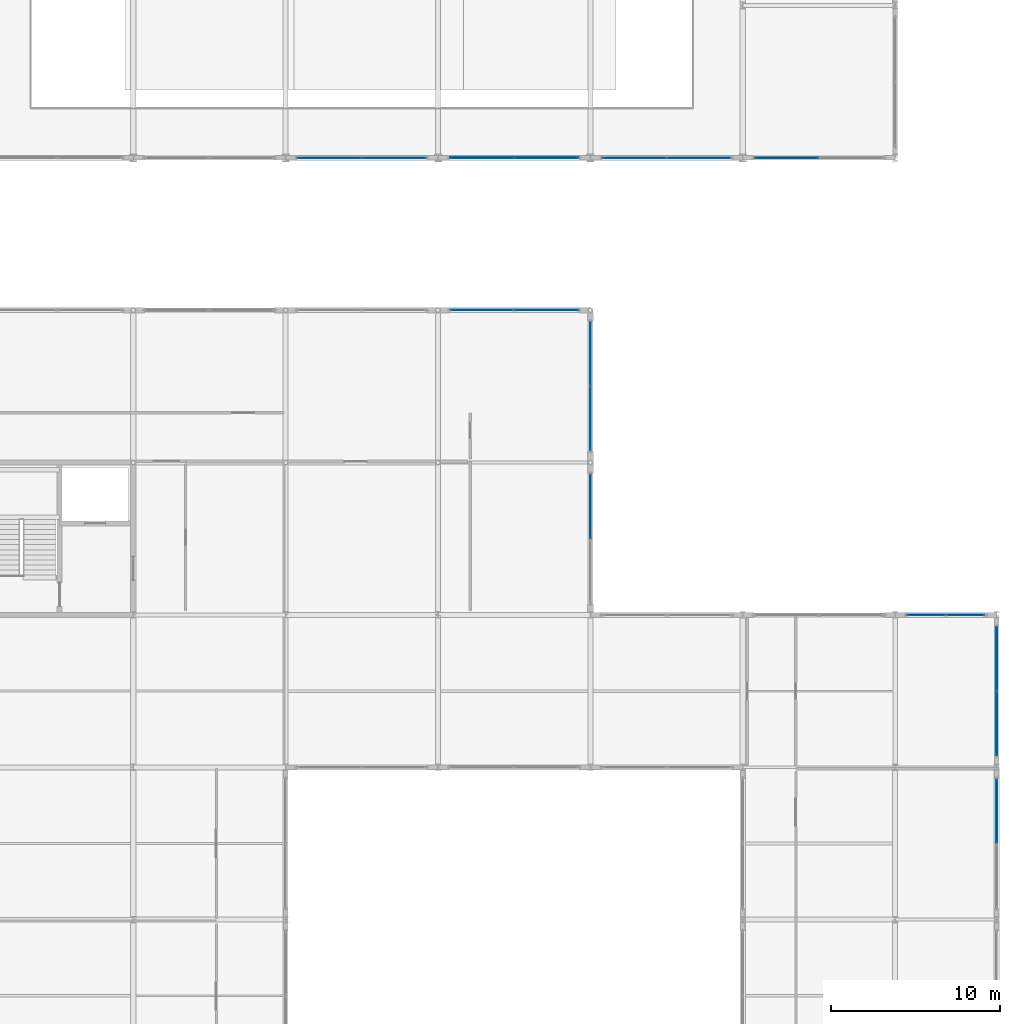
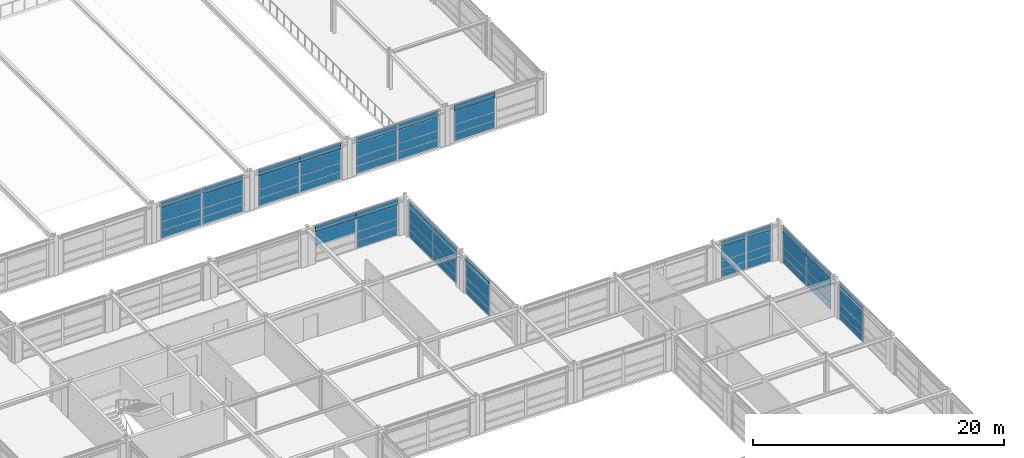
# One storey, part 60 of 79: 66 plates, 10 elements without a shape of their own.
"""IFC4 building model written with IfcOpenShell, lengths in metres."""

from ifc_helpers import new_model, si_unit, direction, frame, origin, origin_2d, place, context, subcontext, project, spatial, rectangle, extrude, material, layer, layer_set, type_object, element, aggregate, save


model = new_model("IFC4")

# Units and contexts
model_context = context("Model", 3, precision=1e-05, world=origin(), true_north=direction((0.0, 1.0)))
body_context = subcontext(model_context, "Body", "Model", "MODEL_VIEW")
ifc_project = project(units=[si_unit("LENGTHUNIT", "METRE"), si_unit("AREAUNIT", "SQUARE_METRE"), si_unit("VOLUMEUNIT", "CUBIC_METRE"), si_unit("PLANEANGLEUNIT", "RADIAN"), si_unit("MASSUNIT", "GRAM", prefix="KILO")], contexts=[model_context])

# Site, building, storey
site_placement = place(None, origin())
site = spatial("IfcSite", under=ifc_project, at=site_placement, CompositionType="ELEMENT")
building_placement = place(site_placement, origin())
building = spatial("IfcBuilding", under=site, at=building_placement, Name="Palais des Congres Ocreval", CompositionType="ELEMENT")
storey_placement = place(building_placement, frame((0.0, 0.0, 4.320068359375)))
storey = spatial("IfcBuildingStorey", under=building, at=storey_placement, Name="L01", CompositionType="ELEMENT", Elevation=4.320068359375)

# Curtain wall, plates
ifc_material_1 = material(Name="Anodized bronze aluminium and low-E glass", Category="glass")
curtain_wall_type_1 = type_object("IfcCurtainWallType", Name="Unitised Curtain Wall 7900x3660", PredefinedType="USERDEFINED", material=ifc_material_1)
curtain_wall_1_placement = place(storey_placement, origin())
curtain_wall_1 = element("IfcCurtainWall", 1, at=curtain_wall_1_placement, inside=storey, type_object=curtain_wall_type_1, Name="Unitised Curtain Wall CW02 L01", ObjectType="UNITISED CURTAIN WALL", PredefinedType="USERDEFINED")
ifc_material_2 = material(Name="Acoustic triple glazing", Category="glass")
ifc_layer_1 = layer(ifc_material_2, 0.0439453125)
ifc_layer_set_1 = layer_set([ifc_layer_1], Name="Acoustic Laminated Glazing Panel 44 (Acoustic triple glazing)")
plate_type_1 = type_object("IfcPlateType", Name="Acoustic Laminated Glazing Panel 44", PredefinedType="CURTAIN_PANEL", material=ifc_layer_set_1)
plate_1_placement = place(storey_placement, frame((141.40625, 72.0, 0.06005859375), z_axis=(0.0, 0.0, 1.0), x_axis=(-1.0, 0.0, 0.0)))
plate_1 = element("IfcPlate", 2, at=plate_1_placement, type_object=plate_type_1, Name="Vision Glazing Panel VP02", PredefinedType="CURTAIN_PANEL", context=body_context, shape_type="SweptSolid", body=[
    extrude(rectangle(XDim=3.737548828125, YDim=0.0439453125, at=origin_2d()), origin(), (0.0, 0.0, 1.0), 0.68994140625),
])
plate_2_placement = place(storey_placement, frame((141.40625, 72.0, 0.81005859375), z_axis=(0.0, 0.0, 1.0), x_axis=(-1.0, 0.0, 0.0)))
plate_2 = element("IfcPlate", 3, at=plate_2_placement, type_object=plate_type_1, Name="Vision Glazing Panel VP02", PredefinedType="CURTAIN_PANEL", context=body_context, shape_type="SweptSolid", body=[
    extrude(rectangle(XDim=3.737548828125, YDim=0.0439453125, at=origin_2d()), origin(), (0.0, 0.0, 1.0), 0.782470703125),
])
plate_3_placement = place(storey_placement, frame((141.40625, 72.0, 1.65234375), z_axis=(0.0, 0.0, 1.0), x_axis=(-1.0, 0.0, 0.0)))
plate_3 = element("IfcPlate", 4, at=plate_3_placement, type_object=plate_type_1, Name="Vision Glazing Panel VP02", PredefinedType="CURTAIN_PANEL", context=body_context, shape_type="SweptSolid", body=[
    extrude(rectangle(XDim=3.737548828125, YDim=0.0439453125, at=origin_2d()), origin(), (0.0, 0.0, 1.0), 1.267578125),
])
plate_4_placement = place(storey_placement, frame((137.59375, 72.0, 0.06005859375), z_axis=(0.0, 0.0, 1.0), x_axis=(-1.0, 0.0, 0.0)))
plate_4 = element("IfcPlate", 5, at=plate_4_placement, type_object=plate_type_1, Name="Vision Glazing Panel VP02", PredefinedType="CURTAIN_PANEL", context=body_context, shape_type="SweptSolid", body=[
    extrude(rectangle(XDim=3.737548828125, YDim=0.0439453125, at=origin_2d()), origin(), (0.0, 0.0, 1.0), 0.68994140625),
])
plate_5_placement = place(storey_placement, frame((137.59375, 72.0, 0.81005859375), z_axis=(0.0, 0.0, 1.0), x_axis=(-1.0, 0.0, 0.0)))
plate_5 = element("IfcPlate", 6, at=plate_5_placement, type_object=plate_type_1, Name="Vision Glazing Panel VP02", PredefinedType="CURTAIN_PANEL", context=body_context, shape_type="SweptSolid", body=[
    extrude(rectangle(XDim=3.737548828125, YDim=0.0439453125, at=origin_2d()), origin(), (0.0, 0.0, 1.0), 0.782470703125),
])
plate_6_placement = place(storey_placement, frame((137.59375, 72.0, 1.65234375), z_axis=(0.0, 0.0, 1.0), x_axis=(-1.0, 0.0, 0.0)))
plate_6 = element("IfcPlate", 7, at=plate_6_placement, type_object=plate_type_1, Name="Vision Glazing Panel VP02", PredefinedType="CURTAIN_PANEL", context=body_context, shape_type="SweptSolid", body=[
    extrude(rectangle(XDim=3.737548828125, YDim=0.0439453125, at=origin_2d()), origin(), (0.0, 0.0, 1.0), 1.267578125),
])

curtain_wall_2_placement = place(storey_placement, origin())
curtain_wall_2 = element("IfcCurtainWall", 8, at=curtain_wall_2_placement, inside=storey, type_object=curtain_wall_type_1, Name="Unitised Curtain Wall CW02 L01", ObjectType="UNITISED CURTAIN WALL", PredefinedType="USERDEFINED")
plate_7_placement = place(storey_placement, frame((144.0, 60.40625, 0.06005859375), z_axis=(0.0, 0.0, 1.0), x_axis=(0.0, -1.0, 0.0)))
plate_7 = element("IfcPlate", 9, at=plate_7_placement, type_object=plate_type_1, Name="Vision Glazing Panel VP02", PredefinedType="CURTAIN_PANEL", context=body_context, shape_type="SweptSolid", body=[
    extrude(rectangle(XDim=3.737548828125, YDim=0.0439453125, at=origin_2d()), origin(), (0.0, 0.0, 1.0), 0.68994140625),
])
plate_8_placement = place(storey_placement, frame((144.0, 60.40625, 0.81005859375), z_axis=(0.0, 0.0, 1.0), x_axis=(0.0, -1.0, 0.0)))
plate_8 = element("IfcPlate", 10, at=plate_8_placement, type_object=plate_type_1, Name="Vision Glazing Panel VP02", PredefinedType="CURTAIN_PANEL", context=body_context, shape_type="SweptSolid", body=[
    extrude(rectangle(XDim=3.737548828125, YDim=0.0439453125, at=origin_2d()), origin(), (0.0, 0.0, 1.0), 0.777099609375),
])
plate_9_placement = place(storey_placement, frame((144.0, 60.40625, 1.64697265625), z_axis=(0.0, 0.0, 1.0), x_axis=(0.0, -1.0, 0.0)))
plate_9 = element("IfcPlate", 11, at=plate_9_placement, type_object=plate_type_1, Name="Vision Glazing Panel VP02", PredefinedType="CURTAIN_PANEL", context=body_context, shape_type="SweptSolid", body=[
    extrude(rectangle(XDim=3.737548828125, YDim=0.0439453125, at=origin_2d()), origin(), (0.0, 0.0, 1.0), 1.262939453125),
])
plate_10_placement = place(storey_placement, frame((144.0, 56.59375, 0.06005859375), z_axis=(0.0, 0.0, 1.0), x_axis=(0.0, -1.0, 0.0)))
plate_10 = element("IfcPlate", 12, at=plate_10_placement, type_object=plate_type_1, Name="Vision Glazing Panel VP02", PredefinedType="CURTAIN_PANEL", context=body_context, shape_type="SweptSolid", body=[
    extrude(rectangle(XDim=3.737548828125, YDim=0.0439453125, at=origin_2d()), origin(), (0.0, 0.0, 1.0), 0.68994140625),
])
plate_11_placement = place(storey_placement, frame((144.0, 56.59375, 0.81005859375), z_axis=(0.0, 0.0, 1.0), x_axis=(0.0, -1.0, 0.0)))
plate_11 = element("IfcPlate", 13, at=plate_11_placement, type_object=plate_type_1, Name="Vision Glazing Panel VP02", PredefinedType="CURTAIN_PANEL", context=body_context, shape_type="SweptSolid", body=[
    extrude(rectangle(XDim=3.737548828125, YDim=0.0439453125, at=origin_2d()), origin(), (0.0, 0.0, 1.0), 0.777099609375),
])
plate_12_placement = place(storey_placement, frame((144.0, 56.59375, 1.64697265625), z_axis=(0.0, 0.0, 1.0), x_axis=(0.0, -1.0, 0.0)))
plate_12 = element("IfcPlate", 14, at=plate_12_placement, type_object=plate_type_1, Name="Vision Glazing Panel VP02", PredefinedType="CURTAIN_PANEL", context=body_context, shape_type="SweptSolid", body=[
    extrude(rectangle(XDim=3.737548828125, YDim=0.0439453125, at=origin_2d()), origin(), (0.0, 0.0, 1.0), 1.262939453125),
])

curtain_wall_3_placement = place(storey_placement, origin())
curtain_wall_3 = element("IfcCurtainWall", 15, at=curtain_wall_3_placement, inside=storey, type_object=curtain_wall_type_1, Name="Unitised Curtain Wall CW02 L01", ObjectType="UNITISED CURTAIN WALL", PredefinedType="USERDEFINED")
plate_13_placement = place(storey_placement, frame((168.0, 33.40625, 0.06005859375), z_axis=(0.0, 0.0, 1.0), x_axis=(0.0, -1.0, 0.0)))
plate_13 = element("IfcPlate", 16, at=plate_13_placement, type_object=plate_type_1, Name="Vision Glazing Panel VP02", PredefinedType="CURTAIN_PANEL", context=body_context, shape_type="SweptSolid", body=[
    extrude(rectangle(XDim=3.737548828125, YDim=0.0439453125, at=origin_2d()), origin(), (0.0, 0.0, 1.0), 0.68994140625),
])
plate_14_placement = place(storey_placement, frame((168.0, 33.40625, 0.81005859375), z_axis=(0.0, 0.0, 1.0), x_axis=(0.0, -1.0, 0.0)))
plate_14 = element("IfcPlate", 17, at=plate_14_placement, type_object=plate_type_1, Name="Vision Glazing Panel VP02", PredefinedType="CURTAIN_PANEL", context=body_context, shape_type="SweptSolid", body=[
    extrude(rectangle(XDim=3.737548828125, YDim=0.0439453125, at=origin_2d()), origin(), (0.0, 0.0, 1.0), 0.782470703125),
])
plate_15_placement = place(storey_placement, frame((168.0, 33.40625, 1.65234375), z_axis=(0.0, 0.0, 1.0), x_axis=(0.0, -1.0, 0.0)))
plate_15 = element("IfcPlate", 18, at=plate_15_placement, type_object=plate_type_1, Name="Vision Glazing Panel VP02", PredefinedType="CURTAIN_PANEL", context=body_context, shape_type="SweptSolid", body=[
    extrude(rectangle(XDim=3.737548828125, YDim=0.0439453125, at=origin_2d()), origin(), (0.0, 0.0, 1.0), 1.267578125),
])

curtain_wall_4_placement = place(storey_placement, origin())
curtain_wall_4 = element("IfcCurtainWall", 19, at=curtain_wall_4_placement, inside=storey, type_object=curtain_wall_type_1, Name="Unitised Curtain Wall CW02 L01", ObjectType="UNITISED CURTAIN WALL", PredefinedType="USERDEFINED")
ifc_material_3 = material(Name="Anodized bronze aluminium", Category="aluminium")
ifc_layer_2 = layer(ifc_material_3, 0.06005859375)
ifc_layer_set_2 = layer_set([ifc_layer_2], Name="Anodized Bronze Spandrel Cassette 60 (Anodized bronze aluminium)")
plate_type_2 = type_object("IfcPlateType", Name="Anodized Bronze Spandrel Cassette 60", PredefinedType="SHEET", material=ifc_layer_set_2)
plate_16_placement = place(storey_placement, frame((150.40625, 72.0, 2.97998046875), z_axis=(0.0, 0.0, 1.0), x_axis=(-1.0, 0.0, 0.0)))
plate_16 = element("IfcPlate", 20, at=plate_16_placement, type_object=plate_type_2, Name="Spandrel Sheet SPN1", PredefinedType="SHEET", context=body_context, shape_type="SweptSolid", body=[
    extrude(rectangle(XDim=3.737548828125, YDim=0.06005859375, at=origin_2d()), origin(), (0.0, 0.0, 1.0), 0.56005859375),
])
plate_17_placement = place(storey_placement, frame((146.59375, 72.0, 2.97998046875), z_axis=(0.0, 0.0, 1.0), x_axis=(-1.0, 0.0, 0.0)))
plate_17 = element("IfcPlate", 21, at=plate_17_placement, type_object=plate_type_2, Name="Spandrel Sheet SPN1", PredefinedType="SHEET", context=body_context, shape_type="SweptSolid", body=[
    extrude(rectangle(XDim=3.737548828125, YDim=0.06005859375, at=origin_2d()), origin(), (0.0, 0.0, 1.0), 0.56005859375),
])

curtain_wall_5_placement = place(storey_placement, origin())
curtain_wall_5 = element("IfcCurtainWall", 22, at=curtain_wall_5_placement, inside=storey, type_object=curtain_wall_type_1, Name="Unitised Curtain Wall CW02 L01", ObjectType="UNITISED CURTAIN WALL", PredefinedType="USERDEFINED")
plate_18_placement = place(storey_placement, frame((132.40625, 72.0, 2.97998046875), z_axis=(0.0, 0.0, 1.0), x_axis=(-1.0, 0.0, 0.0)))
plate_18 = element("IfcPlate", 23, at=plate_18_placement, type_object=plate_type_2, Name="Spandrel Sheet SPN1", PredefinedType="SHEET", context=body_context, shape_type="SweptSolid", body=[
    extrude(rectangle(XDim=3.737548828125, YDim=0.06005859375, at=origin_2d()), origin(), (0.0, 0.0, 1.0), 0.56005859375),
])
plate_19_placement = place(storey_placement, frame((128.59375, 72.0, 2.97998046875), z_axis=(0.0, 0.0, 1.0), x_axis=(-1.0, 0.0, 0.0)))
plate_19 = element("IfcPlate", 24, at=plate_19_placement, type_object=plate_type_2, Name="Spandrel Sheet SPN1", PredefinedType="SHEET", context=body_context, shape_type="SweptSolid", body=[
    extrude(rectangle(XDim=3.737548828125, YDim=0.06005859375, at=origin_2d()), origin(), (0.0, 0.0, 1.0), 0.56005859375),
])

# Plate
plate_20_placement = place(storey_placement, frame((144.0, 60.40625, 2.969970703125), z_axis=(0.0, 0.0, 1.0), x_axis=(0.0, -1.0, 0.0)))
plate_20 = element("IfcPlate", 25, at=plate_20_placement, type_object=plate_type_2, Name="Spandrel Sheet SPN1", PredefinedType="SHEET", context=body_context, shape_type="SweptSolid", body=[
    extrude(rectangle(XDim=3.737548828125, YDim=0.06005859375, at=origin_2d()), origin(), (0.0, 0.0, 1.0), 0.56005859375),
])

plate_21_placement = place(storey_placement, frame((144.0, 56.59375, 2.969970703125), z_axis=(0.0, 0.0, 1.0), x_axis=(0.0, -1.0, 0.0)))
plate_21 = element("IfcPlate", 26, at=plate_21_placement, type_object=plate_type_2, Name="Spandrel Sheet SPN1", PredefinedType="SHEET", context=body_context, shape_type="SweptSolid", body=[
    extrude(rectangle(XDim=3.737548828125, YDim=0.06005859375, at=origin_2d()), origin(), (0.0, 0.0, 1.0), 0.56005859375),
])

aggregate(curtain_wall_2, [plate_7, plate_8, plate_9, plate_20, plate_10, plate_11, plate_12, plate_21])

# Curtain wall, plates
curtain_wall_type_2 = type_object("IfcCurtainWallType", Name="Unitised Curtain Wall 4900x3120", PredefinedType="USERDEFINED", material=ifc_material_1)
curtain_wall_6_placement = place(storey_placement, origin())
curtain_wall_6 = element("IfcCurtainWall", 27, at=curtain_wall_6_placement, inside=storey, type_object=curtain_wall_type_2, Name="Unitised Curtain Wall CW09 L01", ObjectType="UNITISED CURTAIN WALL", PredefinedType="USERDEFINED")
plate_22_placement = place(storey_placement, frame((163.84375, 45.0, 2.97998046875), z_axis=(0.0, 0.0, 1.0), x_axis=(1.0, 0.0, 0.0)))
plate_22 = element("IfcPlate", 28, at=plate_22_placement, type_object=plate_type_2, Name="Spandrel Sheet SPN1", PredefinedType="SHEET", context=body_context, shape_type="SweptSolid", body=[
    extrude(rectangle(XDim=2.237548828125, YDim=0.06005859375, at=origin_2d()), origin(), (0.0, 0.0, 1.0), 0.56005859375),
])
plate_23_placement = place(storey_placement, frame((166.15625, 45.0, 2.97998046875), z_axis=(0.0, 0.0, 1.0), x_axis=(1.0, 0.0, 0.0)))
plate_23 = element("IfcPlate", 29, at=plate_23_placement, type_object=plate_type_2, Name="Spandrel Sheet SPN1", PredefinedType="SHEET", context=body_context, shape_type="SweptSolid", body=[
    extrude(rectangle(XDim=2.237548828125, YDim=0.06005859375, at=origin_2d()), origin(), (0.0, 0.0, 1.0), 0.56005859375),
])

# Plate
plate_24_placement = place(storey_placement, frame((168.0, 33.40625, 2.97998046875), z_axis=(0.0, 0.0, 1.0), x_axis=(0.0, -1.0, 0.0)))
plate_24 = element("IfcPlate", 30, at=plate_24_placement, type_object=plate_type_2, Name="Spandrel Sheet SPN1", PredefinedType="SHEET", context=body_context, shape_type="SweptSolid", body=[
    extrude(rectangle(XDim=3.737548828125, YDim=0.06005859375, at=origin_2d()), origin(), (0.0, 0.0, 1.0), 0.56005859375),
])

aggregate(curtain_wall_3, [plate_13, plate_14, plate_15, plate_24])

# Curtain wall, plates
curtain_wall_7_placement = place(storey_placement, origin())
curtain_wall_7 = element("IfcCurtainWall", 31, at=curtain_wall_7_placement, inside=storey, type_object=curtain_wall_type_1, Name="Unitised Curtain Wall CW02 L01", ObjectType="UNITISED CURTAIN WALL", PredefinedType="USERDEFINED")
ifc_material_4 = material(Name="Low-E solar-control double glazing", Category="glass")
ifc_layer_3 = layer(ifc_material_4, 0.031982421875)
ifc_layer_set_3 = layer_set([ifc_layer_3], Name="Galleria Clear Vision Panel 32 (Low-E solar-control double glazing)")
plate_type_3 = type_object("IfcPlateType", Name="Galleria Clear Vision Panel 32", PredefinedType="CURTAIN_PANEL", material=ifc_layer_set_3)
plate_25_placement = place(storey_placement, frame((155.59375, 72.0, 0.06005859375), z_axis=(0.0, 0.0, 1.0), x_axis=(-1.0, 0.0, 0.0)))
plate_25 = element("IfcPlate", 32, at=plate_25_placement, type_object=plate_type_3, Name="Vision Glazing Panel VP03", PredefinedType="CURTAIN_PANEL", context=body_context, shape_type="SweptSolid", body=[
    extrude(rectangle(XDim=3.737548828125, YDim=0.031982421875, at=origin_2d()), origin(), (0.0, 0.0, 1.0), 0.68994140625),
])
plate_26_placement = place(storey_placement, frame((155.59375, 72.0, 0.81005859375), z_axis=(0.0, 0.0, 1.0), x_axis=(-1.0, 0.0, 0.0)))
plate_26 = element("IfcPlate", 33, at=plate_26_placement, type_object=plate_type_3, Name="Vision Glazing Panel VP03", PredefinedType="CURTAIN_PANEL", context=body_context, shape_type="SweptSolid", body=[
    extrude(rectangle(XDim=3.737548828125, YDim=0.031982421875, at=origin_2d()), origin(), (0.0, 0.0, 1.0), 0.782470703125),
])
plate_27_placement = place(storey_placement, frame((155.59375, 72.0, 1.65234375), z_axis=(0.0, 0.0, 1.0), x_axis=(-1.0, 0.0, 0.0)))
plate_27 = element("IfcPlate", 34, at=plate_27_placement, type_object=plate_type_3, Name="Vision Glazing Panel VP03", PredefinedType="CURTAIN_PANEL", context=body_context, shape_type="SweptSolid", body=[
    extrude(rectangle(XDim=3.737548828125, YDim=0.031982421875, at=origin_2d()), origin(), (0.0, 0.0, 1.0), 1.267578125),
])

# Plate
plate_28_placement = place(storey_placement, frame((132.40625, 72.0, 0.06005859375), z_axis=(0.0, 0.0, 1.0), x_axis=(-1.0, 0.0, 0.0)))
plate_28 = element("IfcPlate", 35, at=plate_28_placement, type_object=plate_type_3, Name="Vision Glazing Panel VP03", PredefinedType="CURTAIN_PANEL", context=body_context, shape_type="SweptSolid", body=[
    extrude(rectangle(XDim=3.737548828125, YDim=0.031982421875, at=origin_2d()), origin(), (0.0, 0.0, 1.0), 0.68994140625),
])

plate_29_placement = place(storey_placement, frame((132.40625, 72.0, 0.81005859375), z_axis=(0.0, 0.0, 1.0), x_axis=(-1.0, 0.0, 0.0)))
plate_29 = element("IfcPlate", 36, at=plate_29_placement, type_object=plate_type_3, Name="Vision Glazing Panel VP03", PredefinedType="CURTAIN_PANEL", context=body_context, shape_type="SweptSolid", body=[
    extrude(rectangle(XDim=3.737548828125, YDim=0.031982421875, at=origin_2d()), origin(), (0.0, 0.0, 1.0), 0.782470703125),
])

plate_30_placement = place(storey_placement, frame((132.40625, 72.0, 1.65234375), z_axis=(0.0, 0.0, 1.0), x_axis=(-1.0, 0.0, 0.0)))
plate_30 = element("IfcPlate", 37, at=plate_30_placement, type_object=plate_type_3, Name="Vision Glazing Panel VP03", PredefinedType="CURTAIN_PANEL", context=body_context, shape_type="SweptSolid", body=[
    extrude(rectangle(XDim=3.737548828125, YDim=0.031982421875, at=origin_2d()), origin(), (0.0, 0.0, 1.0), 1.267578125),
])

plate_31_placement = place(storey_placement, frame((128.59375, 72.0, 0.06005859375), z_axis=(0.0, 0.0, 1.0), x_axis=(-1.0, 0.0, 0.0)))
plate_31 = element("IfcPlate", 38, at=plate_31_placement, type_object=plate_type_3, Name="Vision Glazing Panel VP03", PredefinedType="CURTAIN_PANEL", context=body_context, shape_type="SweptSolid", body=[
    extrude(rectangle(XDim=3.737548828125, YDim=0.031982421875, at=origin_2d()), origin(), (0.0, 0.0, 1.0), 0.68994140625),
])

plate_32_placement = place(storey_placement, frame((128.59375, 72.0, 0.81005859375), z_axis=(0.0, 0.0, 1.0), x_axis=(-1.0, 0.0, 0.0)))
plate_32 = element("IfcPlate", 39, at=plate_32_placement, type_object=plate_type_3, Name="Vision Glazing Panel VP03", PredefinedType="CURTAIN_PANEL", context=body_context, shape_type="SweptSolid", body=[
    extrude(rectangle(XDim=3.737548828125, YDim=0.031982421875, at=origin_2d()), origin(), (0.0, 0.0, 1.0), 0.782470703125),
])

plate_33_placement = place(storey_placement, frame((128.59375, 72.0, 1.65234375), z_axis=(0.0, 0.0, 1.0), x_axis=(-1.0, 0.0, 0.0)))
plate_33 = element("IfcPlate", 40, at=plate_33_placement, type_object=plate_type_3, Name="Vision Glazing Panel VP03", PredefinedType="CURTAIN_PANEL", context=body_context, shape_type="SweptSolid", body=[
    extrude(rectangle(XDim=3.737548828125, YDim=0.031982421875, at=origin_2d()), origin(), (0.0, 0.0, 1.0), 1.267578125),
])

aggregate(curtain_wall_5, [plate_28, plate_29, plate_30, plate_18, plate_31, plate_32, plate_33, plate_19])

# Curtain wall, plates
curtain_wall_8_placement = place(storey_placement, origin())
curtain_wall_8 = element("IfcCurtainWall", 41, at=curtain_wall_8_placement, inside=storey, type_object=curtain_wall_type_1, Name="Unitised Curtain Wall CW02 L01", ObjectType="UNITISED CURTAIN WALL", PredefinedType="USERDEFINED")
plate_34_placement = place(storey_placement, frame((144.0, 51.40625, 0.06005859375), z_axis=(0.0, 0.0, 1.0), x_axis=(0.0, -1.0, 0.0)))
plate_34 = element("IfcPlate", 42, at=plate_34_placement, type_object=plate_type_3, Name="Vision Glazing Panel VP03", PredefinedType="CURTAIN_PANEL", context=body_context, shape_type="SweptSolid", body=[
    extrude(rectangle(XDim=3.737548828125, YDim=0.031982421875, at=origin_2d()), origin(), (0.0, 0.0, 1.0), 0.68994140625),
])
plate_35_placement = place(storey_placement, frame((144.0, 51.40625, 0.81005859375), z_axis=(0.0, 0.0, 1.0), x_axis=(0.0, -1.0, 0.0)))
plate_35 = element("IfcPlate", 43, at=plate_35_placement, type_object=plate_type_3, Name="Vision Glazing Panel VP03", PredefinedType="CURTAIN_PANEL", context=body_context, shape_type="SweptSolid", body=[
    extrude(rectangle(XDim=3.737548828125, YDim=0.031982421875, at=origin_2d()), origin(), (0.0, 0.0, 1.0), 0.777099609375),
])
plate_36_placement = place(storey_placement, frame((144.0, 51.40625, 1.64697265625), z_axis=(0.0, 0.0, 1.0), x_axis=(0.0, -1.0, 0.0)))
plate_36 = element("IfcPlate", 44, at=plate_36_placement, type_object=plate_type_3, Name="Vision Glazing Panel VP03", PredefinedType="CURTAIN_PANEL", context=body_context, shape_type="SweptSolid", body=[
    extrude(rectangle(XDim=3.737548828125, YDim=0.031982421875, at=origin_2d()), origin(), (0.0, 0.0, 1.0), 1.262939453125),
])

# Plate
plate_37_placement = place(storey_placement, frame((163.84375, 45.0, 0.06005859375), z_axis=(0.0, 0.0, 1.0), x_axis=(1.0, 0.0, 0.0)))
plate_37 = element("IfcPlate", 45, at=plate_37_placement, type_object=plate_type_3, Name="Vision Glazing Panel VP03", PredefinedType="CURTAIN_PANEL", context=body_context, shape_type="SweptSolid", body=[
    extrude(rectangle(XDim=2.237548828125, YDim=0.031982421875, at=origin_2d()), origin(), (0.0, 0.0, 1.0), 0.68994140625),
])

plate_38_placement = place(storey_placement, frame((163.84375, 45.0, 0.81005859375), z_axis=(0.0, 0.0, 1.0), x_axis=(1.0, 0.0, 0.0)))
plate_38 = element("IfcPlate", 46, at=plate_38_placement, type_object=plate_type_3, Name="Vision Glazing Panel VP03", PredefinedType="CURTAIN_PANEL", context=body_context, shape_type="SweptSolid", body=[
    extrude(rectangle(XDim=2.237548828125, YDim=0.031982421875, at=origin_2d()), origin(), (0.0, 0.0, 1.0), 0.782470703125),
])

plate_39_placement = place(storey_placement, frame((163.84375, 45.0, 1.65234375), z_axis=(0.0, 0.0, 1.0), x_axis=(1.0, 0.0, 0.0)))
plate_39 = element("IfcPlate", 47, at=plate_39_placement, type_object=plate_type_3, Name="Vision Glazing Panel VP03", PredefinedType="CURTAIN_PANEL", context=body_context, shape_type="SweptSolid", body=[
    extrude(rectangle(XDim=2.237548828125, YDim=0.031982421875, at=origin_2d()), origin(), (0.0, 0.0, 1.0), 1.267578125),
])

plate_40_placement = place(storey_placement, frame((166.15625, 45.0, 0.06005859375), z_axis=(0.0, 0.0, 1.0), x_axis=(1.0, 0.0, 0.0)))
plate_40 = element("IfcPlate", 48, at=plate_40_placement, type_object=plate_type_3, Name="Vision Glazing Panel VP03", PredefinedType="CURTAIN_PANEL", context=body_context, shape_type="SweptSolid", body=[
    extrude(rectangle(XDim=2.237548828125, YDim=0.031982421875, at=origin_2d()), origin(), (0.0, 0.0, 1.0), 0.68994140625),
])

plate_41_placement = place(storey_placement, frame((166.15625, 45.0, 0.81005859375), z_axis=(0.0, 0.0, 1.0), x_axis=(1.0, 0.0, 0.0)))
plate_41 = element("IfcPlate", 49, at=plate_41_placement, type_object=plate_type_3, Name="Vision Glazing Panel VP03", PredefinedType="CURTAIN_PANEL", context=body_context, shape_type="SweptSolid", body=[
    extrude(rectangle(XDim=2.237548828125, YDim=0.031982421875, at=origin_2d()), origin(), (0.0, 0.0, 1.0), 0.782470703125),
])

plate_42_placement = place(storey_placement, frame((166.15625, 45.0, 1.65234375), z_axis=(0.0, 0.0, 1.0), x_axis=(1.0, 0.0, 0.0)))
plate_42 = element("IfcPlate", 50, at=plate_42_placement, type_object=plate_type_3, Name="Vision Glazing Panel VP03", PredefinedType="CURTAIN_PANEL", context=body_context, shape_type="SweptSolid", body=[
    extrude(rectangle(XDim=2.237548828125, YDim=0.031982421875, at=origin_2d()), origin(), (0.0, 0.0, 1.0), 1.267578125),
])

aggregate(curtain_wall_6, [plate_37, plate_38, plate_39, plate_22, plate_40, plate_41, plate_42, plate_23])

ifc_layer_4 = layer(ifc_material_4, 0.035888671875)
ifc_layer_set_4 = layer_set([ifc_layer_4], Name="Low-E Vision Glazing Panel 36 (Low-E solar-control double glazing)")
plate_type_4 = type_object("IfcPlateType", Name="Low-E Vision Glazing Panel 36", PredefinedType="CURTAIN_PANEL", material=ifc_layer_set_4)
plate_43_placement = place(storey_placement, frame((150.40625, 72.0, 0.06005859375), z_axis=(0.0, 0.0, 1.0), x_axis=(-1.0, 0.0, 0.0)))
plate_43 = element("IfcPlate", 51, at=plate_43_placement, type_object=plate_type_4, Name="Vision Glazing Panel VP01", PredefinedType="CURTAIN_PANEL", context=body_context, shape_type="SweptSolid", body=[
    extrude(rectangle(XDim=3.737548828125, YDim=0.035888671875, at=origin_2d()), origin(), (0.0, 0.0, 1.0), 0.68994140625),
])

plate_44_placement = place(storey_placement, frame((150.40625, 72.0, 0.81005859375), z_axis=(0.0, 0.0, 1.0), x_axis=(-1.0, 0.0, 0.0)))
plate_44 = element("IfcPlate", 52, at=plate_44_placement, type_object=plate_type_4, Name="Vision Glazing Panel VP01", PredefinedType="CURTAIN_PANEL", context=body_context, shape_type="SweptSolid", body=[
    extrude(rectangle(XDim=3.737548828125, YDim=0.035888671875, at=origin_2d()), origin(), (0.0, 0.0, 1.0), 0.782470703125),
])

plate_45_placement = place(storey_placement, frame((150.40625, 72.0, 1.65234375), z_axis=(0.0, 0.0, 1.0), x_axis=(-1.0, 0.0, 0.0)))
plate_45 = element("IfcPlate", 53, at=plate_45_placement, type_object=plate_type_4, Name="Vision Glazing Panel VP01", PredefinedType="CURTAIN_PANEL", context=body_context, shape_type="SweptSolid", body=[
    extrude(rectangle(XDim=3.737548828125, YDim=0.035888671875, at=origin_2d()), origin(), (0.0, 0.0, 1.0), 1.267578125),
])

plate_46_placement = place(storey_placement, frame((146.59375, 72.0, 0.06005859375), z_axis=(0.0, 0.0, 1.0), x_axis=(-1.0, 0.0, 0.0)))
plate_46 = element("IfcPlate", 54, at=plate_46_placement, type_object=plate_type_4, Name="Vision Glazing Panel VP01", PredefinedType="CURTAIN_PANEL", context=body_context, shape_type="SweptSolid", body=[
    extrude(rectangle(XDim=3.737548828125, YDim=0.035888671875, at=origin_2d()), origin(), (0.0, 0.0, 1.0), 0.68994140625),
])

plate_47_placement = place(storey_placement, frame((146.59375, 72.0, 0.81005859375), z_axis=(0.0, 0.0, 1.0), x_axis=(-1.0, 0.0, 0.0)))
plate_47 = element("IfcPlate", 55, at=plate_47_placement, type_object=plate_type_4, Name="Vision Glazing Panel VP01", PredefinedType="CURTAIN_PANEL", context=body_context, shape_type="SweptSolid", body=[
    extrude(rectangle(XDim=3.737548828125, YDim=0.035888671875, at=origin_2d()), origin(), (0.0, 0.0, 1.0), 0.782470703125),
])

plate_48_placement = place(storey_placement, frame((146.59375, 72.0, 1.65234375), z_axis=(0.0, 0.0, 1.0), x_axis=(-1.0, 0.0, 0.0)))
plate_48 = element("IfcPlate", 56, at=plate_48_placement, type_object=plate_type_4, Name="Vision Glazing Panel VP01", PredefinedType="CURTAIN_PANEL", context=body_context, shape_type="SweptSolid", body=[
    extrude(rectangle(XDim=3.737548828125, YDim=0.035888671875, at=origin_2d()), origin(), (0.0, 0.0, 1.0), 1.267578125),
])

aggregate(curtain_wall_4, [plate_43, plate_44, plate_45, plate_16, plate_46, plate_47, plate_48, plate_17])

# Curtain wall, plates
curtain_wall_9_placement = place(storey_placement, origin())
curtain_wall_9 = element("IfcCurtainWall", 57, at=curtain_wall_9_placement, inside=storey, type_object=curtain_wall_type_1, Name="Unitised Curtain Wall CW02 L01", ObjectType="UNITISED CURTAIN WALL", PredefinedType="USERDEFINED")
plate_49_placement = place(storey_placement, frame((137.59375, 63.0, 1.64697265625), z_axis=(0.0, 0.0, 1.0), x_axis=(1.0, 0.0, 0.0)))
plate_49 = element("IfcPlate", 58, at=plate_49_placement, type_object=plate_type_4, Name="Vision Glazing Panel VP01", PredefinedType="CURTAIN_PANEL", context=body_context, shape_type="SweptSolid", body=[
    extrude(rectangle(XDim=3.737548828125, YDim=0.035888671875, at=origin_2d()), origin(), (0.0, 0.0, 1.0), 1.262939453125),
])
plate_50_placement = place(storey_placement, frame((141.40625, 63.0, 0.06005859375), z_axis=(0.0, 0.0, 1.0), x_axis=(1.0, 0.0, 0.0)))
plate_50 = element("IfcPlate", 59, at=plate_50_placement, type_object=plate_type_4, Name="Vision Glazing Panel VP01", PredefinedType="CURTAIN_PANEL", context=body_context, shape_type="SweptSolid", body=[
    extrude(rectangle(XDim=3.737548828125, YDim=0.035888671875, at=origin_2d()), origin(), (0.0, 0.0, 1.0), 0.68994140625),
])
plate_51_placement = place(storey_placement, frame((141.40625, 63.0, 0.81005859375), z_axis=(0.0, 0.0, 1.0), x_axis=(1.0, 0.0, 0.0)))
plate_51 = element("IfcPlate", 60, at=plate_51_placement, type_object=plate_type_4, Name="Vision Glazing Panel VP01", PredefinedType="CURTAIN_PANEL", context=body_context, shape_type="SweptSolid", body=[
    extrude(rectangle(XDim=3.737548828125, YDim=0.035888671875, at=origin_2d()), origin(), (0.0, 0.0, 1.0), 0.777099609375),
])
plate_52_placement = place(storey_placement, frame((141.40625, 63.0, 1.64697265625), z_axis=(0.0, 0.0, 1.0), x_axis=(1.0, 0.0, 0.0)))
plate_52 = element("IfcPlate", 61, at=plate_52_placement, type_object=plate_type_4, Name="Vision Glazing Panel VP01", PredefinedType="CURTAIN_PANEL", context=body_context, shape_type="SweptSolid", body=[
    extrude(rectangle(XDim=3.737548828125, YDim=0.035888671875, at=origin_2d()), origin(), (0.0, 0.0, 1.0), 1.262939453125),
])

curtain_wall_10_placement = place(storey_placement, origin())
curtain_wall_10 = element("IfcCurtainWall", 62, at=curtain_wall_10_placement, inside=storey, type_object=curtain_wall_type_1, Name="Unitised Curtain Wall CW02 L01", ObjectType="UNITISED CURTAIN WALL", PredefinedType="USERDEFINED")
plate_53_placement = place(storey_placement, frame((168.0, 42.40625, 0.06005859375), z_axis=(0.0, 0.0, 1.0), x_axis=(0.0, -1.0, 0.0)))
plate_53 = element("IfcPlate", 63, at=plate_53_placement, type_object=plate_type_4, Name="Vision Glazing Panel VP01", PredefinedType="CURTAIN_PANEL", context=body_context, shape_type="SweptSolid", body=[
    extrude(rectangle(XDim=3.737548828125, YDim=0.035888671875, at=origin_2d()), origin(), (0.0, 0.0, 1.0), 0.68994140625),
])
plate_54_placement = place(storey_placement, frame((168.0, 42.40625, 0.81005859375), z_axis=(0.0, 0.0, 1.0), x_axis=(0.0, -1.0, 0.0)))
plate_54 = element("IfcPlate", 64, at=plate_54_placement, type_object=plate_type_4, Name="Vision Glazing Panel VP01", PredefinedType="CURTAIN_PANEL", context=body_context, shape_type="SweptSolid", body=[
    extrude(rectangle(XDim=3.737548828125, YDim=0.035888671875, at=origin_2d()), origin(), (0.0, 0.0, 1.0), 0.782470703125),
])
plate_55_placement = place(storey_placement, frame((168.0, 42.40625, 1.65234375), z_axis=(0.0, 0.0, 1.0), x_axis=(0.0, -1.0, 0.0)))
plate_55 = element("IfcPlate", 65, at=plate_55_placement, type_object=plate_type_4, Name="Vision Glazing Panel VP01", PredefinedType="CURTAIN_PANEL", context=body_context, shape_type="SweptSolid", body=[
    extrude(rectangle(XDim=3.737548828125, YDim=0.035888671875, at=origin_2d()), origin(), (0.0, 0.0, 1.0), 1.267578125),
])
plate_56_placement = place(storey_placement, frame((168.0, 38.59375, 0.06005859375), z_axis=(0.0, 0.0, 1.0), x_axis=(0.0, -1.0, 0.0)))
plate_56 = element("IfcPlate", 66, at=plate_56_placement, type_object=plate_type_4, Name="Vision Glazing Panel VP01", PredefinedType="CURTAIN_PANEL", context=body_context, shape_type="SweptSolid", body=[
    extrude(rectangle(XDim=3.737548828125, YDim=0.035888671875, at=origin_2d()), origin(), (0.0, 0.0, 1.0), 0.68994140625),
])
plate_57_placement = place(storey_placement, frame((168.0, 38.59375, 0.81005859375), z_axis=(0.0, 0.0, 1.0), x_axis=(0.0, -1.0, 0.0)))
plate_57 = element("IfcPlate", 67, at=plate_57_placement, type_object=plate_type_4, Name="Vision Glazing Panel VP01", PredefinedType="CURTAIN_PANEL", context=body_context, shape_type="SweptSolid", body=[
    extrude(rectangle(XDim=3.737548828125, YDim=0.035888671875, at=origin_2d()), origin(), (0.0, 0.0, 1.0), 0.782470703125),
])
plate_58_placement = place(storey_placement, frame((168.0, 38.59375, 1.65234375), z_axis=(0.0, 0.0, 1.0), x_axis=(0.0, -1.0, 0.0)))
plate_58 = element("IfcPlate", 68, at=plate_58_placement, type_object=plate_type_4, Name="Vision Glazing Panel VP01", PredefinedType="CURTAIN_PANEL", context=body_context, shape_type="SweptSolid", body=[
    extrude(rectangle(XDim=3.737548828125, YDim=0.035888671875, at=origin_2d()), origin(), (0.0, 0.0, 1.0), 1.267578125),
])

# Plate
ifc_material_5 = material(Name="Terracotta ceramic spandrel", Category="masonry")
ifc_layer_5 = layer(ifc_material_5, 0.080078125)
ifc_layer_set_5 = layer_set([ifc_layer_5], Name="Terracotta Insulated Spandrel Sheet 80 (Terracotta ceramic spandrel)")
plate_type_5 = type_object("IfcPlateType", Name="Terracotta Insulated Spandrel Sheet 80", PredefinedType="SHEET", material=ifc_layer_set_5)
plate_59_placement = place(storey_placement, frame((155.59375, 72.0, 2.97998046875), z_axis=(0.0, 0.0, 1.0), x_axis=(-1.0, 0.0, 0.0)))
plate_59 = element("IfcPlate", 69, at=plate_59_placement, type_object=plate_type_5, Name="Spandrel Sheet SPN2", PredefinedType="SHEET", context=body_context, shape_type="SweptSolid", body=[
    extrude(rectangle(XDim=3.737548828125, YDim=0.080078125, at=origin_2d()), origin(), (0.0, 0.0, 1.0), 0.56005859375),
])

aggregate(curtain_wall_7, [plate_25, plate_26, plate_27, plate_59])

plate_60_placement = place(storey_placement, frame((141.40625, 72.0, 2.97998046875), z_axis=(0.0, 0.0, 1.0), x_axis=(-1.0, 0.0, 0.0)))
plate_60 = element("IfcPlate", 70, at=plate_60_placement, type_object=plate_type_5, Name="Spandrel Sheet SPN2", PredefinedType="SHEET", context=body_context, shape_type="SweptSolid", body=[
    extrude(rectangle(XDim=3.737548828125, YDim=0.080078125, at=origin_2d()), origin(), (0.0, 0.0, 1.0), 0.56005859375),
])

plate_61_placement = place(storey_placement, frame((137.59375, 72.0, 2.97998046875), z_axis=(0.0, 0.0, 1.0), x_axis=(-1.0, 0.0, 0.0)))
plate_61 = element("IfcPlate", 71, at=plate_61_placement, type_object=plate_type_5, Name="Spandrel Sheet SPN2", PredefinedType="SHEET", context=body_context, shape_type="SweptSolid", body=[
    extrude(rectangle(XDim=3.737548828125, YDim=0.080078125, at=origin_2d()), origin(), (0.0, 0.0, 1.0), 0.56005859375),
])

aggregate(curtain_wall_1, [plate_1, plate_2, plate_3, plate_60, plate_4, plate_5, plate_6, plate_61])

plate_62_placement = place(storey_placement, frame((137.59375, 63.0, 2.969970703125), z_axis=(0.0, 0.0, 1.0), x_axis=(1.0, 0.0, 0.0)))
plate_62 = element("IfcPlate", 72, at=plate_62_placement, type_object=plate_type_5, Name="Spandrel Sheet SPN2", PredefinedType="SHEET", context=body_context, shape_type="SweptSolid", body=[
    extrude(rectangle(XDim=3.737548828125, YDim=0.080078125, at=origin_2d()), origin(), (0.0, 0.0, 1.0), 0.56005859375),
])

plate_63_placement = place(storey_placement, frame((141.40625, 63.0, 2.969970703125), z_axis=(0.0, 0.0, 1.0), x_axis=(1.0, 0.0, 0.0)))
plate_63 = element("IfcPlate", 73, at=plate_63_placement, type_object=plate_type_5, Name="Spandrel Sheet SPN2", PredefinedType="SHEET", context=body_context, shape_type="SweptSolid", body=[
    extrude(rectangle(XDim=3.737548828125, YDim=0.080078125, at=origin_2d()), origin(), (0.0, 0.0, 1.0), 0.56005859375),
])

aggregate(curtain_wall_9, [plate_49, plate_62, plate_50, plate_51, plate_52, plate_63])

plate_64_placement = place(storey_placement, frame((144.0, 51.40625, 2.969970703125), z_axis=(0.0, 0.0, 1.0), x_axis=(0.0, -1.0, 0.0)))
plate_64 = element("IfcPlate", 74, at=plate_64_placement, type_object=plate_type_5, Name="Spandrel Sheet SPN2", PredefinedType="SHEET", context=body_context, shape_type="SweptSolid", body=[
    extrude(rectangle(XDim=3.737548828125, YDim=0.080078125, at=origin_2d()), origin(), (0.0, 0.0, 1.0), 0.56005859375),
])

aggregate(curtain_wall_8, [plate_34, plate_35, plate_36, plate_64])

plate_65_placement = place(storey_placement, frame((168.0, 42.40625, 2.97998046875), z_axis=(0.0, 0.0, 1.0), x_axis=(0.0, -1.0, 0.0)))
plate_65 = element("IfcPlate", 75, at=plate_65_placement, type_object=plate_type_5, Name="Spandrel Sheet SPN2", PredefinedType="SHEET", context=body_context, shape_type="SweptSolid", body=[
    extrude(rectangle(XDim=3.737548828125, YDim=0.080078125, at=origin_2d()), origin(), (0.0, 0.0, 1.0), 0.56005859375),
])

plate_66_placement = place(storey_placement, frame((168.0, 38.59375, 2.97998046875), z_axis=(0.0, 0.0, 1.0), x_axis=(0.0, -1.0, 0.0)))
plate_66 = element("IfcPlate", 76, at=plate_66_placement, type_object=plate_type_5, Name="Spandrel Sheet SPN2", PredefinedType="SHEET", context=body_context, shape_type="SweptSolid", body=[
    extrude(rectangle(XDim=3.737548828125, YDim=0.080078125, at=origin_2d()), origin(), (0.0, 0.0, 1.0), 0.56005859375),
])

aggregate(curtain_wall_10, [plate_53, plate_54, plate_55, plate_65, plate_56, plate_57, plate_58, plate_66])

save(model, "model.ifc")
